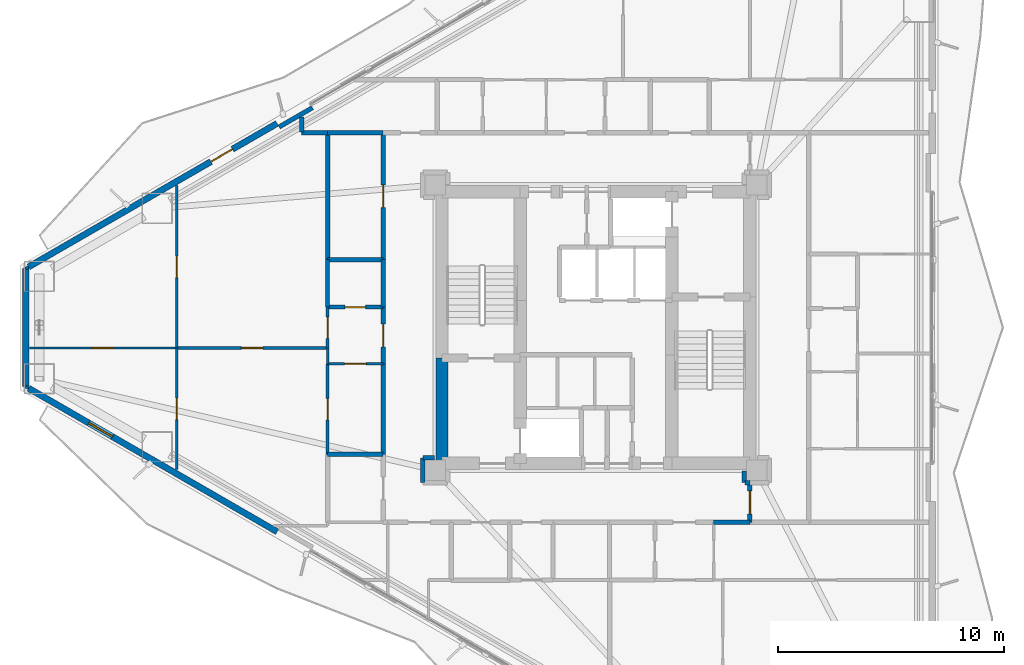
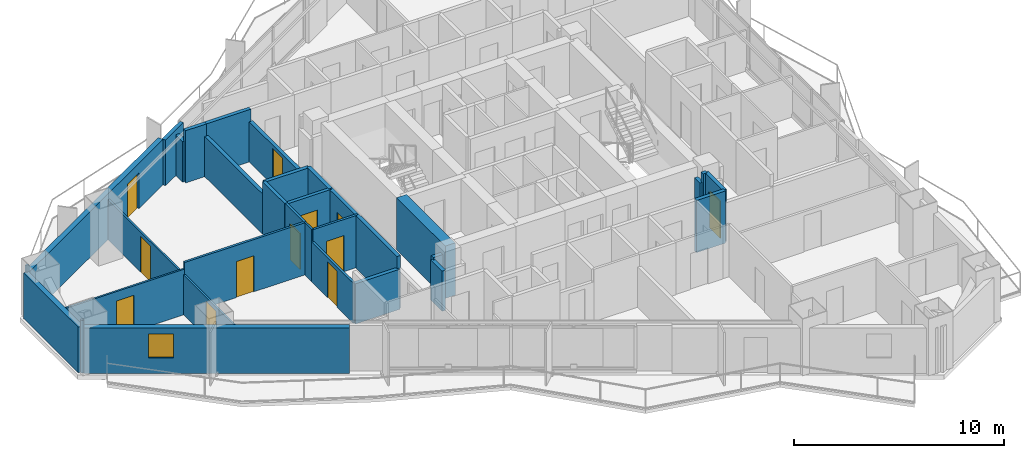
# One storey, part 13 of 19: 33 walls, 12 doors, 1 window, 13 openings.
"""IFC4 building model written with IfcOpenShell, lengths in metres."""

from ifc_helpers import new_model, si_unit, direction, frame, frame_2d, origin, place, context, subcontext, project, spatial, rectangle, extrude, material, layer, layer_set, type_object, element, fill, save


model = new_model("IFC4")

# Units and contexts
model_context = context("Model", 3, precision=1e-05, world=origin(), true_north=direction((0.0, 1.0)))
body_context = subcontext(model_context, "Body", "Model", "MODEL_VIEW")
ifc_project = project(units=[si_unit("LENGTHUNIT", "METRE"), si_unit("AREAUNIT", "SQUARE_METRE"), si_unit("VOLUMEUNIT", "CUBIC_METRE"), si_unit("PLANEANGLEUNIT", "RADIAN"), si_unit("MASSUNIT", "GRAM", prefix="KILO")], contexts=[model_context])

# Site, building, storey
site_placement = place(None, origin())
site = spatial("IfcSite", under=ifc_project, at=site_placement, CompositionType="ELEMENT")
building_placement = place(site_placement, origin())
building = spatial("IfcBuilding", under=site, at=building_placement, Name="Mersakhor Tower and Convention Hall", CompositionType="ELEMENT")
storey_placement = place(building_placement, frame((0.0, 0.0, 25.800048828125)))
storey = spatial("IfcBuildingStorey", under=building, at=storey_placement, Name="L06", CompositionType="ELEMENT", Elevation=25.800048828125)

# Wall
ifc_material_1 = material(Name="Precast concrete C45/55", Category="concrete")
ifc_layer_1 = layer(ifc_material_1, 0.27490234375)
ifc_layer_set_1 = layer_set([ifc_layer_1], Name="Precast concrete C45/55")
wall_type_1 = type_object("IfcWallType", Name="WL-EXT-275", PredefinedType="SOLIDWALL", material=ifc_layer_set_1)
wall_1_placement = place(storey_placement, frame((3.81298828125, 24.144287109375, 0.0), z_axis=(0.0, 0.0, 1.0), x_axis=(0.0, 1.0, 0.0)))
element("IfcWall", 1, at=wall_1_placement, inside=storey, type_object=wall_type_1, Name="L06 Chamfer Braced Spandrel Wall C3", PredefinedType="SOLIDWALL", context=body_context, shape_type="SweptSolid", body=[
    extrude(rectangle(XDim=5.21142578125, YDim=0.27490234375, at=frame_2d((2.605712890625, 0.0))), origin(), (0.0, 0.0, 1.0), 2.659912109375),
])

# Wall, opening, door
wall_2_placement = place(storey_placement, frame((3.943115234375, 29.4306640625, 0.0), z_axis=(0.0, 0.0, 1.0), x_axis=(0.866027105532, 0.499997052475, 0.0)))
wall_2 = element("IfcWall", 2, at=wall_2_placement, inside=storey, type_object=wall_type_1, Name="L06 Exterior Facade Wall F1-B1", PredefinedType="SOLIDWALL", context=body_context, shape_type="SweptSolid", body=[
    extrude(rectangle(XDim=12.6728515625, YDim=0.27490234375, at=frame_2d((6.33642578125, 0.0))), origin(), (0.0, 0.0, 1.0), 2.659912109375),
])
opening_1_placement = place(wall_2_placement, frame((9.298095703125, 0.0, 0.0)))
opening_1 = element("IfcOpeningElement", 3, at=opening_1_placement, cuts=wall_2, Name="Opening BD-02", PredefinedType="OPENING", context=body_context, shape_type="SweptSolid", body=[
    extrude(rectangle(XDim=1.10009765625, YDim=2.10009765625, at=frame_2d((0.550048828125, 1.050048828125))), frame((0.0, 0.1474609375, 0.0), z_axis=(0.0, -1.0, 0.0), x_axis=(1.0, 0.0, 0.0)), (0.0, 0.0, 1.0), 0.294921875),
])
ifc_material_2 = material(Name="Thermally broken dark aluminium and safety glass", Category="aluminium")
door_type_1 = type_object("IfcDoorType", Name="DR-BAL-110x210", OperationType="NOTDEFINED", PredefinedType="DOOR", material=ifc_material_2)
door_1_placement = place(opening_1_placement, origin())
door_1 = element("IfcDoor", 4, at=door_1_placement, inside=storey, type_object=door_type_1, Name="L06 Balcony Terrace Door F1-B1", OperationType="SINGLE_SWING_RIGHT", OverallHeight=2.10009765625, OverallWidth=1.10009765625, PredefinedType="DOOR", context=body_context, shape_type="SweptSolid", body=[
    extrude(rectangle(XDim=1.10009765625, YDim=2.10009765625, at=frame_2d((0.550048828125, 1.050048828125))), frame((0.0, 0.02490234375, 0.0), z_axis=(0.0, -1.0, 0.0), x_axis=(1.0, 0.0, 0.0)), (0.0, 0.0, 1.0), 0.050048828125),
])
fill(opening_1, door_1)

# Wall, opening, window
wall_3_placement = place(storey_placement, frame((14.918212890625, 17.73291015625, 0.0), z_axis=(0.0, 0.0, 1.0), x_axis=(-0.866027105532, 0.499997052475, 0.0)))
wall_3 = element("IfcWall", 5, at=wall_3_placement, inside=storey, type_object=wall_type_1, Name="L06 Exterior Facade Wall F3-B3", PredefinedType="SOLIDWALL", context=body_context, shape_type="SweptSolid", body=[
    extrude(rectangle(XDim=12.6728515625, YDim=0.27490234375, at=frame_2d((6.33642578125, 0.0))), origin(), (0.0, 0.0, 1.0), 2.659912109375),
])
opening_2_placement = place(wall_3_placement, frame((8.402099609375, 0.0, 0.89990234375)))
opening_2 = element("IfcOpeningElement", 6, at=opening_2_placement, cuts=wall_3, Name="Opening W-01", PredefinedType="OPENING", context=body_context, shape_type="SweptSolid", body=[
    extrude(rectangle(XDim=1.199951171875, YDim=1.39990234375, at=frame_2d((0.60009765625, 0.699951171875))), frame((0.0, 0.1474609375, 0.0), z_axis=(0.0, -1.0, 0.0), x_axis=(1.0, 0.0, 0.0)), (0.0, 0.0, 1.0), 0.294921875),
])
ifc_material_3 = material(Name="Dark solar low-E glazed aluminium window", Category="aluminium")
window_type = type_object("IfcWindowType", Name="WN-RES-120x150", PartitioningType="SINGLE_PANEL", PredefinedType="WINDOW", material=ifc_material_3)
window_placement = place(opening_2_placement, origin())
window = element("IfcWindow", 7, at=window_placement, inside=storey, type_object=window_type, Name="L06 Bedroom Facade Window F3-B3-1", OverallHeight=1.39990234375, OverallWidth=1.199951171875, PartitioningType="SINGLE_PANEL", PredefinedType="WINDOW", context=body_context, shape_type="SweptSolid", body=[
    extrude(rectangle(XDim=1.199951171875, YDim=1.39990234375, at=frame_2d((0.60009765625, 0.699951171875))), frame((0.0, 0.030029296875, 0.0), z_axis=(0.0, -1.0, 0.0), x_axis=(1.0, 0.0, 0.0)), (0.0, 0.0, 1.0), 0.06005859375),
])
fill(opening_2, window)

# Wall
ifc_material_4 = material(Name="Precast concrete C40/50", Category="concrete")
ifc_layer_2 = layer(ifc_material_4, 0.199951171875)
ifc_layer_set_2 = layer_set([ifc_layer_2], Name="Precast concrete C40/50")
wall_type_2 = type_object("IfcWallType", Name="WL-PAR-200", PredefinedType="PARAPET", material=ifc_layer_set_2)
wall_4_placement = place(storey_placement, frame((15.00830078125, 35.611328125, 0.0), z_axis=(0.0, 0.0, 1.0), x_axis=(0.86605165483, 0.499954529098, 0.0)))
element("IfcWall", 8, at=wall_4_placement, inside=storey, type_object=wall_type_2, Name="L06 Column Pier Cladding Wall F1-C1", PredefinedType="PARAPET", context=body_context, shape_type="SweptSolid", body=[
    extrude(rectangle(XDim=1.699951171875, YDim=0.199951171875, at=frame_2d((0.85009765625, 0.0))), origin(), (0.0, 0.0, 1.0), 2.659912109375),
])

# Wall, opening, door
ifc_material_5 = material(Name="Moisture-resistant acoustic drywall studwork", Category="other")
ifc_layer_3 = layer(ifc_material_5, 0.175048828125)
ifc_layer_set_3 = layer_set([ifc_layer_3], Name="Moisture-resistant acoustic drywall studwork")
wall_type_3 = type_object("IfcWallType", Name="WL-PLM-175", PredefinedType="PLUMBINGWALL", material=ifc_layer_set_3)
wall_5_placement = place(storey_placement, frame((17.14990234375, 27.64990234375, 0.0), z_axis=(0.0, 0.0, 1.0), x_axis=(1.0, 0.0, 0.0)))
wall_5 = element("IfcWall", 9, at=wall_5_placement, inside=storey, type_object=wall_type_3, Name="L06 Interior Partition Wall P-076", PredefinedType="PLUMBINGWALL", context=body_context, shape_type="SweptSolid", body=[
    extrude(rectangle(XDim=2.4501953125, YDim=0.175048828125, at=frame_2d((1.22509765625, 0.0))), origin(), (0.0, 0.0, 1.0), 3.0400390625),
])
opening_3_placement = place(wall_5_placement, frame((0.77490234375, 0.0, 0.0)))
opening_3 = element("IfcOpeningElement", 10, at=opening_3_placement, cuts=wall_5, Name="Opening WD-01", PredefinedType="OPENING", context=body_context, shape_type="SweptSolid", body=[
    extrude(rectangle(XDim=0.89990234375, YDim=2.10009765625, at=frame_2d((0.449951171875, 1.050048828125))), frame((0.0, 0.097412109375, 0.0), z_axis=(0.0, -1.0, 0.0), x_axis=(1.0, 0.0, 0.0)), (0.0, 0.0, 1.0), 0.195068359375),
])
ifc_material_6 = material(Name="Solid-core hardwood leaf in painted steel frame", Category="steel")
door_type_2 = type_object("IfcDoorType", Name="DR-INT-WET-090x210", OperationType="NOTDEFINED", PredefinedType="DOOR", material=ifc_material_6)
door_2_placement = place(opening_3_placement, origin())
door_2 = element("IfcDoor", 11, at=door_2_placement, inside=storey, type_object=door_type_2, Name="L06 L06 Flat W4 Apartment Hall to L06 Flat W4 Bathroom Door", OperationType="SINGLE_SWING_LEFT", OverallHeight=2.10009765625, OverallWidth=0.89990234375, PredefinedType="DOOR", context=body_context, shape_type="SweptSolid", body=[
    extrude(rectangle(XDim=0.89990234375, YDim=2.10009765625, at=frame_2d((0.449951171875, 1.050048828125))), frame((0.0, 0.02490234375, 0.0), z_axis=(0.0, -1.0, 0.0), x_axis=(1.0, 0.0, 0.0)), (0.0, 0.0, 1.0), 0.050048828125),
])
fill(opening_3, door_2)

# Walls
wall_6_placement = place(storey_placement, frame((17.14990234375, 27.64990234375, 0.0), z_axis=(0.0, 0.0, 1.0), x_axis=(0.0, 1.0, 0.0)))
element("IfcWall", 12, at=wall_6_placement, inside=storey, type_object=wall_type_3, Name="L06 Interior Partition Wall P-097", PredefinedType="PLUMBINGWALL", context=body_context, shape_type="SweptSolid", body=[
    extrude(rectangle(XDim=2.10009765625, YDim=0.175048828125, at=frame_2d((1.050048828125, 0.0))), origin(), (0.0, 0.0, 1.0), 3.0400390625),
])
ifc_material_7 = material(Name="Lightweight gypsum partition", Category="other")
ifc_layer_4 = layer(ifc_material_7, 0.10009765625)
ifc_layer_set_4 = layer_set([ifc_layer_4], Name="Lightweight gypsum partition")
wall_type_4 = type_object("IfcWallType", Name="WL-PRT-100", PredefinedType="PARTITIONING", material=ifc_layer_set_4)
wall_7_placement = place(storey_placement, frame((17.14990234375, 25.14990234375, 0.0), z_axis=(0.0, 0.0, 1.0), x_axis=(0.0, 1.0, 0.0)))
element("IfcWall", 13, at=wall_7_placement, inside=storey, type_object=wall_type_4, Name="L06 Interior Partition Wall P-074", PredefinedType="PARTITIONING", context=body_context, shape_type="SweptSolid", body=[
    extrude(rectangle(XDim=0.7001953125, YDim=0.10009765625, at=frame_2d((0.35009765625, 0.0))), origin(), (0.0, 0.0, 1.0), 3.0400390625),
])

# Wall, opening, door
wall_8_placement = place(storey_placement, frame((10.47998046875, 25.85009765625, 0.0), z_axis=(0.0, 0.0, 1.0), x_axis=(-1.0, 0.0, 0.0)))
wall_8 = element("IfcWall", 14, at=wall_8_placement, inside=storey, type_object=wall_type_4, Name="L06 Interior Partition Wall P-138", PredefinedType="PARTITIONING", context=body_context, shape_type="SweptSolid", body=[
    extrude(rectangle(XDim=6.50537109375, YDim=0.10009765625, at=frame_2d((3.252685546875, 0.0))), origin(), (0.0, 0.0, 1.0), 2.650390625),
])
opening_4_placement = place(wall_8_placement, frame((2.777587890625, 0.0, 0.0)))
opening_4 = element("IfcOpeningElement", 15, at=opening_4_placement, cuts=wall_8, Name="Opening RD-01", PredefinedType="OPENING", context=body_context, shape_type="SweptSolid", body=[
    extrude(rectangle(XDim=0.949951171875, YDim=2.10009765625, at=frame_2d((0.47509765625, 1.050048828125))), frame((0.0, 0.06005859375, 0.0), z_axis=(0.0, -1.0, 0.0), x_axis=(1.0, 0.0, 0.0)), (0.0, 0.0, 1.0), 0.1201171875),
])
ifc_material_8 = material(Name="Solid-core hardwood leaf in painted steel frame", Category="steel")
door_type_3 = type_object("IfcDoorType", Name="DR-INT-RM-095x210", OperationType="NOTDEFINED", PredefinedType="DOOR", material=ifc_material_8)
door_3_placement = place(opening_4_placement, origin())
door_3 = element("IfcDoor", 16, at=door_3_placement, inside=storey, type_object=door_type_3, Name="L06 L06 Flat W4 Living and Dining Room to L06 Flat W4 Master Bedroom Door", OperationType="SINGLE_SWING_RIGHT", OverallHeight=2.10009765625, OverallWidth=0.949951171875, PredefinedType="DOOR", context=body_context, shape_type="SweptSolid", body=[
    extrude(rectangle(XDim=0.949951171875, YDim=2.10009765625, at=frame_2d((0.47509765625, 1.050048828125))), frame((0.0, 0.02490234375, 0.0), z_axis=(0.0, -1.0, 0.0), x_axis=(1.0, 0.0, 0.0)), (0.0, 0.0, 1.0), 0.050048828125),
])
fill(opening_4, door_3)

wall_9_placement = place(storey_placement, frame((10.47998046875, 33.018310546875, 0.0), z_axis=(0.0, 0.0, 1.0), x_axis=(0.0, -1.0, 0.0)))
wall_9 = element("IfcWall", 17, at=wall_9_placement, inside=storey, type_object=wall_type_4, Name="L06 Interior Partition Wall P-140", PredefinedType="PARTITIONING", context=body_context, shape_type="SweptSolid", body=[
    extrude(rectangle(XDim=7.168212890625, YDim=0.10009765625, at=frame_2d((3.583984375, 0.0))), origin(), (0.0, 0.0, 1.0), 2.33740234375),
])
opening_5_placement = place(wall_9_placement, frame((3.109130859375, 0.0, 0.0)))
opening_5 = element("IfcOpeningElement", 18, at=opening_5_placement, cuts=wall_9, Name="Opening RD-01", PredefinedType="OPENING", context=body_context, shape_type="SweptSolid", body=[
    extrude(rectangle(XDim=0.949951171875, YDim=2.10009765625, at=frame_2d((0.47509765625, 1.050048828125))), frame((0.0, 0.06005859375, 0.0), z_axis=(0.0, -1.0, 0.0), x_axis=(1.0, 0.0, 0.0)), (0.0, 0.0, 1.0), 0.1201171875),
])
door_4_placement = place(opening_5_placement, origin())
door_4 = element("IfcDoor", 19, at=door_4_placement, inside=storey, type_object=door_type_3, Name="L06 L06 Flat W4 Living and Dining Room to L06 Flat W4 Dining Room Door", OperationType="SINGLE_SWING_LEFT", OverallHeight=2.10009765625, OverallWidth=0.949951171875, PredefinedType="DOOR", context=body_context, shape_type="SweptSolid", body=[
    extrude(rectangle(XDim=0.949951171875, YDim=2.10009765625, at=frame_2d((0.47509765625, 1.050048828125))), frame((0.0, 0.02490234375, 0.0), z_axis=(0.0, -1.0, 0.0), x_axis=(1.0, 0.0, 0.0)), (0.0, 0.0, 1.0), 0.050048828125),
])
fill(opening_5, door_4)

wall_10_placement = place(storey_placement, frame((10.47998046875, 25.85009765625, 0.0), z_axis=(0.0, 0.0, 1.0), x_axis=(0.0, -1.0, 0.0)))
wall_10 = element("IfcWall", 20, at=wall_10_placement, inside=storey, type_object=wall_type_4, Name="L06 Interior Partition Wall P-142", PredefinedType="PARTITIONING", context=body_context, shape_type="SweptSolid", body=[
    extrude(rectangle(XDim=5.368408203125, YDim=0.10009765625, at=frame_2d((2.68408203125, 0.0))), origin(), (0.0, 0.0, 1.0), 2.33740234375),
])
opening_6_placement = place(wall_10_placement, frame((2.209228515625, 0.0, 0.0)))
opening_6 = element("IfcOpeningElement", 21, at=opening_6_placement, cuts=wall_10, Name="Opening RD-01", PredefinedType="OPENING", context=body_context, shape_type="SweptSolid", body=[
    extrude(rectangle(XDim=0.949951171875, YDim=2.10009765625, at=frame_2d((0.47509765625, 1.050048828125))), frame((0.0, 0.06005859375, 0.0), z_axis=(0.0, -1.0, 0.0), x_axis=(1.0, 0.0, 0.0)), (0.0, 0.0, 1.0), 0.1201171875),
])
door_5_placement = place(opening_6_placement, origin())
door_5 = element("IfcDoor", 22, at=door_5_placement, inside=storey, type_object=door_type_3, Name="L06 L06 Flat W4 Master Bedroom to L06 Flat W4 Dining Room Door", OperationType="SINGLE_SWING_RIGHT", OverallHeight=2.10009765625, OverallWidth=0.949951171875, PredefinedType="DOOR", context=body_context, shape_type="SweptSolid", body=[
    extrude(rectangle(XDim=0.949951171875, YDim=2.10009765625, at=frame_2d((0.47509765625, 1.050048828125))), frame((0.0, 0.02490234375, 0.0), z_axis=(0.0, -1.0, 0.0), x_axis=(1.0, 0.0, 0.0)), (0.0, 0.0, 1.0), 0.050048828125),
])
fill(opening_6, door_5)

ifc_material_9 = material(Name="Gypsum board acoustic partition", Category="other")
ifc_layer_5 = layer(ifc_material_9, 0.125)
ifc_layer_set_5 = layer_set([ifc_layer_5], Name="Gypsum board acoustic partition")
wall_type_5 = type_object("IfcWallType", Name="WL-PRT-125", PredefinedType="PARTITIONING", material=ifc_layer_set_5)
wall_11_placement = place(storey_placement, frame((17.14990234375, 25.85009765625, 0.0), z_axis=(0.0, 0.0, 1.0), x_axis=(0.0, 1.0, 0.0)))
wall_11 = element("IfcWall", 23, at=wall_11_placement, inside=storey, type_object=wall_type_5, Name="L06 Interior Partition Wall P-075", PredefinedType="PARTITIONING", context=body_context, shape_type="SweptSolid", body=[
    extrude(rectangle(XDim=1.7998046875, YDim=0.125, at=frame_2d((0.89990234375, 0.0))), origin(), (0.0, 0.0, 1.0), 3.0400390625),
])
opening_7_placement = place(wall_11_placement, frame((0.425048828125, 0.0, 0.0)))
opening_7 = element("IfcOpeningElement", 24, at=opening_7_placement, cuts=wall_11, Name="Opening RD-01", PredefinedType="OPENING", context=body_context, shape_type="SweptSolid", body=[
    extrude(rectangle(XDim=0.949951171875, YDim=2.10009765625, at=frame_2d((0.47509765625, 1.050048828125))), frame((0.0, 0.072509765625, 0.0), z_axis=(0.0, -1.0, 0.0), x_axis=(1.0, 0.0, 0.0)), (0.0, 0.0, 1.0), 0.14501953125),
])
door_6_placement = place(opening_7_placement, origin())
door_6 = element("IfcDoor", 25, at=door_6_placement, inside=storey, type_object=door_type_3, Name="L06 L06 Flat W4 Apartment Hall to L06 Flat W4 Dining Room Door", OperationType="SINGLE_SWING_LEFT", OverallHeight=2.10009765625, OverallWidth=0.949951171875, PredefinedType="DOOR", context=body_context, shape_type="SweptSolid", body=[
    extrude(rectangle(XDim=0.949951171875, YDim=2.10009765625, at=frame_2d((0.47509765625, 1.050048828125))), frame((0.0, 0.02490234375, 0.0), z_axis=(0.0, -1.0, 0.0), x_axis=(1.0, 0.0, 0.0)), (0.0, 0.0, 1.0), 0.050048828125),
])
fill(opening_7, door_6)

wall_12_placement = place(storey_placement, frame((19.60009765625, 25.14990234375, 0.0), z_axis=(0.0, 0.0, 1.0), x_axis=(-1.0, 0.0, 0.0)))
wall_12 = element("IfcWall", 26, at=wall_12_placement, inside=storey, type_object=wall_type_5, Name="L06 Interior Partition Wall P-077", PredefinedType="PARTITIONING", context=body_context, shape_type="SweptSolid", body=[
    extrude(rectangle(XDim=2.4501953125, YDim=0.125, at=frame_2d((1.22509765625, 0.0))), origin(), (0.0, 0.0, 1.0), 3.0400390625),
])
opening_8_placement = place(wall_12_placement, frame((0.75, 0.0, 0.0)))
opening_8 = element("IfcOpeningElement", 27, at=opening_8_placement, cuts=wall_12, Name="Opening RD-01", PredefinedType="OPENING", context=body_context, shape_type="SweptSolid", body=[
    extrude(rectangle(XDim=0.949951171875, YDim=2.10009765625, at=frame_2d((0.47509765625, 1.050048828125))), frame((0.0, 0.072509765625, 0.0), z_axis=(0.0, -1.0, 0.0), x_axis=(1.0, 0.0, 0.0)), (0.0, 0.0, 1.0), 0.14501953125),
])
door_7_placement = place(opening_8_placement, origin())
door_7 = element("IfcDoor", 28, at=door_7_placement, inside=storey, type_object=door_type_3, Name="L06 L06 Flat W4 Apartment Hall to L06 Flat W4 Kitchen Door", OperationType="SINGLE_SWING_RIGHT", OverallHeight=2.10009765625, OverallWidth=0.949951171875, PredefinedType="DOOR", context=body_context, shape_type="SweptSolid", body=[
    extrude(rectangle(XDim=0.949951171875, YDim=2.10009765625, at=frame_2d((0.47509765625, 1.050048828125))), frame((0.0, 0.02490234375, 0.0), z_axis=(0.0, -1.0, 0.0), x_axis=(1.0, 0.0, 0.0)), (0.0, 0.0, 1.0), 0.050048828125),
])
fill(opening_8, door_7)

wall_13_placement = place(storey_placement, frame((17.14990234375, 21.14990234375, 0.0), z_axis=(0.0, 0.0, 1.0), x_axis=(0.0, 1.0, 0.0)))
wall_13 = element("IfcWall", 29, at=wall_13_placement, inside=storey, type_object=wall_type_5, Name="L06 Interior Partition Wall P-099", PredefinedType="PARTITIONING", context=body_context, shape_type="SweptSolid", body=[
    extrude(rectangle(XDim=4.0, YDim=0.125, at=frame_2d((2.0, 0.0))), origin(), (0.0, 0.0, 1.0), 2.33740234375),
])
opening_9_placement = place(wall_13_placement, frame((1.52490234375, 0.0, 0.0)))
opening_9 = element("IfcOpeningElement", 30, at=opening_9_placement, cuts=wall_13, Name="Opening RD-01", PredefinedType="OPENING", context=body_context, shape_type="SweptSolid", body=[
    extrude(rectangle(XDim=0.949951171875, YDim=2.10009765625, at=frame_2d((0.47509765625, 1.050048828125))), frame((0.0, 0.072509765625, 0.0), z_axis=(0.0, -1.0, 0.0), x_axis=(1.0, 0.0, 0.0)), (0.0, 0.0, 1.0), 0.14501953125),
])
door_8_placement = place(opening_9_placement, origin())
door_8 = element("IfcDoor", 31, at=door_8_placement, inside=storey, type_object=door_type_3, Name="L06 L06 Flat W4 Kitchen to L06 Flat W4 Dining Room Door", OperationType="SINGLE_SWING_LEFT", OverallHeight=2.10009765625, OverallWidth=0.949951171875, PredefinedType="DOOR", context=body_context, shape_type="SweptSolid", body=[
    extrude(rectangle(XDim=0.949951171875, YDim=2.10009765625, at=frame_2d((0.47509765625, 1.050048828125))), frame((0.0, 0.02490234375, 0.0), z_axis=(0.0, -1.0, 0.0), x_axis=(1.0, 0.0, 0.0)), (0.0, 0.0, 1.0), 0.050048828125),
])
fill(opening_9, door_8)

# Wall
wall_14_placement = place(storey_placement, frame((3.81298828125, 29.35595703125, 0.0), z_axis=(0.0, 0.0, 1.0), x_axis=(0.866131372301, 0.499816412211, 0.0)))
element("IfcWall", 32, at=wall_14_placement, inside=storey, type_object=wall_type_5, Name="L06 Interior Partition Wall P-139", PredefinedType="PARTITIONING", context=body_context, shape_type="SweptSolid", body=[
    extrude(rectangle(XDim=0.14990234375, YDim=0.125, at=frame_2d((0.074951171875, 0.0))), origin(), (0.0, 0.0, 1.0), 3.0400390625),
])

# Wall, opening, door
wall_15_placement = place(storey_placement, frame((17.14990234375, 25.85009765625, 0.0), z_axis=(0.0, 0.0, 1.0), x_axis=(-1.0, 0.0, 0.0)))
wall_15 = element("IfcWall", 33, at=wall_15_placement, inside=storey, type_object=wall_type_5, Name="L06 Interior Partition Wall P-141", PredefinedType="PARTITIONING", context=body_context, shape_type="SweptSolid", body=[
    extrude(rectangle(XDim=6.669921875, YDim=0.125, at=frame_2d((3.3349609375, 0.0))), origin(), (0.0, 0.0, 1.0), 3.0400390625),
])
opening_10_placement = place(wall_15_placement, frame((2.860107421875, 0.0, 0.0)))
opening_10 = element("IfcOpeningElement", 34, at=opening_10_placement, cuts=wall_15, Name="Opening RD-01", PredefinedType="OPENING", context=body_context, shape_type="SweptSolid", body=[
    extrude(rectangle(XDim=0.949951171875, YDim=2.10009765625, at=frame_2d((0.47509765625, 1.050048828125))), frame((0.0, 0.072509765625, 0.0), z_axis=(0.0, -1.0, 0.0), x_axis=(1.0, 0.0, 0.0)), (0.0, 0.0, 1.0), 0.14501953125),
])
door_9_placement = place(opening_10_placement, origin())
door_9 = element("IfcDoor", 35, at=door_9_placement, inside=storey, type_object=door_type_3, Name="L06 L06 Flat W4 Dining Room to L06 Flat W4 Dining Room Door", OperationType="SINGLE_SWING_LEFT", OverallHeight=2.10009765625, OverallWidth=0.949951171875, PredefinedType="DOOR", context=body_context, shape_type="SweptSolid", body=[
    extrude(rectangle(XDim=0.949951171875, YDim=2.10009765625, at=frame_2d((0.47509765625, 1.050048828125))), frame((0.0, 0.02490234375, 0.0), z_axis=(0.0, -1.0, 0.0), x_axis=(1.0, 0.0, 0.0)), (0.0, 0.0, 1.0), 0.050048828125),
])
fill(opening_10, door_9)

# Walls
wall_16_placement = place(storey_placement, frame((3.94287109375, 24.069091796875, 0.0), z_axis=(0.0, 0.0, 1.0), x_axis=(-0.866131372301, 0.499816412211, 0.0)))
element("IfcWall", 36, at=wall_16_placement, inside=storey, type_object=wall_type_5, Name="L06 Interior Partition Wall P-143", PredefinedType="PARTITIONING", context=body_context, shape_type="SweptSolid", body=[
    extrude(rectangle(XDim=0.14990234375, YDim=0.125, at=frame_2d((0.074951171875, 0.0))), origin(), (0.0, 0.0, 1.0), 3.0400390625),
])
ifc_material_10 = material(Name="Acoustic concrete blockwork and gypsum board", Category="masonry")
ifc_layer_6 = layer(ifc_material_10, 0.199951171875)
ifc_layer_set_6 = layer_set([ifc_layer_6], Name="Acoustic concrete blockwork and gypsum board")
wall_type_6 = type_object("IfcWallType", Name="WL-PRT-200", PredefinedType="PARTITIONING", material=ifc_layer_set_6)
wall_17_placement = place(storey_placement, frame((35.550048828125, 20.425048828125, 0.0), z_axis=(0.0, 0.0, 1.0), x_axis=(0.0, -1.0, 0.0)))
element("IfcWall", 37, at=wall_17_placement, inside=storey, type_object=wall_type_6, Name="L06 Interior Partition Wall P-023", PredefinedType="PARTITIONING", context=body_context, shape_type="SweptSolid", body=[
    extrude(rectangle(XDim=0.525146484375, YDim=0.199951171875, at=frame_2d((0.2626953125, 0.0))), origin(), (0.0, 0.0, 1.0), 2.48828125),
])
wall_18_placement = place(storey_placement, frame((35.580078125, 19.89990234375, 0.0), z_axis=(0.0, 0.0, 1.0), x_axis=(1.0, 0.0, 0.0)))
element("IfcWall", 38, at=wall_18_placement, inside=storey, type_object=wall_type_6, Name="L06 Interior Partition Wall P-024", PredefinedType="PARTITIONING", context=body_context, shape_type="SweptSolid", body=[
    extrude(rectangle(XDim=0.219970703125, YDim=0.199951171875, at=frame_2d((0.10986328125, 0.0))), origin(), (0.0, 0.0, 1.0), 3.0400390625),
])

# Wall, opening, door
wall_19_placement = place(storey_placement, frame((35.800048828125, 19.89990234375, 0.0), z_axis=(0.0, 0.0, 1.0), x_axis=(0.0, -1.0, 0.0)))
wall_19 = element("IfcWall", 39, at=wall_19_placement, inside=storey, type_object=wall_type_6, Name="L06 Interior Partition Wall P-025", PredefinedType="PARTITIONING", context=body_context, shape_type="SweptSolid", body=[
    extrude(rectangle(XDim=1.75, YDim=0.199951171875, at=frame_2d((0.875, 0.0))), origin(), (0.0, 0.0, 1.0), 3.0400390625),
])
opening_11_placement = place(wall_19_placement, frame((0.375, 0.0, 0.0)))
opening_11 = element("IfcOpeningElement", 40, at=opening_11_placement, cuts=wall_19, Name="Opening FD-01", PredefinedType="OPENING", context=body_context, shape_type="SweptSolid", body=[
    extrude(rectangle(XDim=1.0, YDim=2.14990234375, at=frame_2d((0.5, 1.074951171875))), frame((0.0, 0.10986328125, 0.0), z_axis=(0.0, -1.0, 0.0), x_axis=(1.0, 0.0, 0.0)), (0.0, 0.0, 1.0), 0.219970703125),
])
ifc_material_11 = material(Name="Fire-rated hardwood leaf and painted steel frame", Category="steel")
door_type_4 = type_object("IfcDoorType", Name="DR-INT-FLT-100x215", OperationType="NOTDEFINED", PredefinedType="DOOR", material=ifc_material_11)
door_10_placement = place(opening_11_placement, origin())
door_10 = element("IfcDoor", 41, at=door_10_placement, inside=storey, type_object=door_type_4, Name="L06 Ring Corridor Fire Door", OperationType="SINGLE_SWING_LEFT", OverallHeight=2.14990234375, OverallWidth=1.0, PredefinedType="DOOR", context=body_context, shape_type="SweptSolid", body=[
    extrude(rectangle(XDim=1.0, YDim=2.14990234375, at=frame_2d((0.5, 1.074951171875))), frame((0.0, 0.02490234375, 0.0), z_axis=(0.0, -1.0, 0.0), x_axis=(1.0, 0.0, 0.0)), (0.0, 0.0, 1.0), 0.050048828125),
])
fill(opening_11, door_10)

# Walls
wall_20_placement = place(storey_placement, frame((35.800048828125, 18.14990234375, 0.0), z_axis=(0.0, 0.0, 1.0), x_axis=(-1.0, 0.0, 0.0)))
element("IfcWall", 42, at=wall_20_placement, inside=storey, type_object=wall_type_6, Name="L06 Interior Partition Wall P-026", PredefinedType="PARTITIONING", context=body_context, shape_type="SweptSolid", body=[
    extrude(rectangle(XDim=1.60009765625, YDim=0.199951171875, at=frame_2d((0.800048828125, 0.0))), origin(), (0.0, 0.0, 1.0), 3.0400390625),
])
wall_21_placement = place(storey_placement, frame((19.60009765625, 21.14990234375, 0.0), z_axis=(0.0, 0.0, 1.0), x_axis=(0.0, 1.0, 0.0)))
element("IfcWall", 43, at=wall_21_placement, inside=storey, type_object=wall_type_6, Name="L06 Interior Partition Wall P-035", PredefinedType="PARTITIONING", context=body_context, shape_type="SweptSolid", body=[
    extrude(rectangle(XDim=4.0, YDim=0.199951171875, at=frame_2d((2.0, 0.0))), origin(), (0.0, 0.0, 1.0), 3.0400390625),
])

# Wall, opening, door
wall_22_placement = place(storey_placement, frame((19.60009765625, 25.14990234375, 0.0), z_axis=(0.0, 0.0, 1.0), x_axis=(0.0, 1.0, 0.0)))
wall_22 = element("IfcWall", 44, at=wall_22_placement, inside=storey, type_object=wall_type_6, Name="L06 Interior Partition Wall P-036", PredefinedType="PARTITIONING", context=body_context, shape_type="SweptSolid", body=[
    extrude(rectangle(XDim=2.5, YDim=0.199951171875, at=frame_2d((1.25, 0.0))), origin(), (0.0, 0.0, 1.0), 3.0400390625),
])
opening_12_placement = place(wall_22_placement, frame((0.75, 0.0, 0.0)))
opening_12 = element("IfcOpeningElement", 45, at=opening_12_placement, cuts=wall_22, Name="Opening FD-01", PredefinedType="OPENING", context=body_context, shape_type="SweptSolid", body=[
    extrude(rectangle(XDim=1.0, YDim=2.14990234375, at=frame_2d((0.5, 1.074951171875))), frame((0.0, 0.10986328125, 0.0), z_axis=(0.0, -1.0, 0.0), x_axis=(1.0, 0.0, 0.0)), (0.0, 0.0, 1.0), 0.219970703125),
])
door_11_placement = place(opening_12_placement, origin())
door_11 = element("IfcDoor", 46, at=door_11_placement, inside=storey, type_object=door_type_4, Name="L06 Apartment Entrance Door (Residential Ring Corridor to L06 Flat W4 Apartment Hall)", OperationType="SINGLE_SWING_LEFT", OverallHeight=2.14990234375, OverallWidth=1.0, PredefinedType="DOOR", context=body_context, shape_type="SweptSolid", body=[
    extrude(rectangle(XDim=1.0, YDim=2.14990234375, at=frame_2d((0.5, 1.074951171875))), frame((0.0, 0.02490234375, 0.0), z_axis=(0.0, -1.0, 0.0), x_axis=(1.0, 0.0, 0.0)), (0.0, 0.0, 1.0), 0.050048828125),
])
fill(opening_12, door_11)

# Wall
wall_23_placement = place(storey_placement, frame((19.60009765625, 27.64990234375, 0.0), z_axis=(0.0, 0.0, 1.0), x_axis=(0.0, 1.0, 0.0)))
element("IfcWall", 47, at=wall_23_placement, inside=storey, type_object=wall_type_6, Name="L06 Interior Partition Wall P-037", PredefinedType="PARTITIONING", context=body_context, shape_type="SweptSolid", body=[
    extrude(rectangle(XDim=2.10009765625, YDim=0.199951171875, at=frame_2d((1.050048828125, 0.0))), origin(), (0.0, 0.0, 1.0), 3.0400390625),
])

# Wall, opening, door
wall_24_placement = place(storey_placement, frame((19.60009765625, 29.75, 0.0), z_axis=(0.0, 0.0, 1.0), x_axis=(0.0, 1.0, 0.0)))
wall_24 = element("IfcWall", 48, at=wall_24_placement, inside=storey, type_object=wall_type_6, Name="L06 Interior Partition Wall P-038", PredefinedType="PARTITIONING", context=body_context, shape_type="SweptSolid", body=[
    extrude(rectangle(XDim=5.60009765625, YDim=0.199951171875, at=frame_2d((2.800048828125, 0.0))), origin(), (0.0, 0.0, 1.0), 2.33740234375),
])
opening_13_placement = place(wall_24_placement, frame((2.300048828125, 0.0, 0.0)))
opening_13 = element("IfcOpeningElement", 49, at=opening_13_placement, cuts=wall_24, Name="Opening FD-01", PredefinedType="OPENING", context=body_context, shape_type="SweptSolid", body=[
    extrude(rectangle(XDim=1.0, YDim=2.14990234375, at=frame_2d((0.5, 1.074951171875))), frame((0.0, 0.10986328125, 0.0), z_axis=(0.0, -1.0, 0.0), x_axis=(1.0, 0.0, 0.0)), (0.0, 0.0, 1.0), 0.219970703125),
])
door_12_placement = place(opening_13_placement, origin())
door_12 = element("IfcDoor", 50, at=door_12_placement, inside=storey, type_object=door_type_4, Name="L06 Residential Ring Corridor to L06 West Wing Shared Study Room Door", OperationType="SINGLE_SWING_RIGHT", OverallHeight=2.14990234375, OverallWidth=1.0, PredefinedType="DOOR", context=body_context, shape_type="SweptSolid", body=[
    extrude(rectangle(XDim=1.0, YDim=2.14990234375, at=frame_2d((0.5, 1.074951171875))), frame((0.0, 0.02490234375, 0.0), z_axis=(0.0, -1.0, 0.0), x_axis=(1.0, 0.0, 0.0)), (0.0, 0.0, 1.0), 0.050048828125),
])
fill(opening_13, door_12)

# Walls
wall_25_placement = place(storey_placement, frame((21.875, 21.0, 0.0), z_axis=(0.0, 0.0, 1.0), x_axis=(-1.0, 0.0, 0.0)))
element("IfcWall", 51, at=wall_25_placement, inside=storey, type_object=wall_type_6, Name="L06 Interior Partition Wall P-053", PredefinedType="PARTITIONING", context=body_context, shape_type="SweptSolid", body=[
    extrude(rectangle(XDim=0.52490234375, YDim=0.199951171875, at=frame_2d((0.262451171875, 0.0))), origin(), (0.0, 0.0, 1.0), 2.48828125),
])
wall_26_placement = place(storey_placement, frame((21.35009765625, 21.0, 0.0), z_axis=(0.0, 0.0, 1.0), x_axis=(0.0, -1.0, 0.0)))
element("IfcWall", 52, at=wall_26_placement, inside=storey, type_object=wall_type_6, Name="L06 Interior Partition Wall P-054", PredefinedType="PARTITIONING", context=body_context, shape_type="SweptSolid", body=[
    extrude(rectangle(XDim=1.10009765625, YDim=0.199951171875, at=frame_2d((0.550048828125, 0.0))), origin(), (0.0, 0.0, 1.0), 2.33740234375),
])
wall_27_placement = place(storey_placement, frame((17.14990234375, 29.75, 0.0), z_axis=(0.0, 0.0, 1.0), x_axis=(1.0, 0.0, 0.0)))
element("IfcWall", 53, at=wall_27_placement, inside=storey, type_object=wall_type_6, Name="L06 Interior Partition Wall P-098", PredefinedType="PARTITIONING", context=body_context, shape_type="SweptSolid", body=[
    extrude(rectangle(XDim=2.4501953125, YDim=0.199951171875, at=frame_2d((1.22509765625, 0.0))), origin(), (0.0, 0.0, 1.0), 3.0400390625),
])
wall_28_placement = place(storey_placement, frame((19.60009765625, 21.14990234375, 0.0), z_axis=(0.0, 0.0, 1.0), x_axis=(-1.0, 0.0, 0.0)))
element("IfcWall", 54, at=wall_28_placement, inside=storey, type_object=wall_type_6, Name="L06 Interior Partition Wall P-100", PredefinedType="PARTITIONING", context=body_context, shape_type="SweptSolid", body=[
    extrude(rectangle(XDim=2.4501953125, YDim=0.199951171875, at=frame_2d((1.22509765625, 0.0))), origin(), (0.0, 0.0, 1.0), 2.33740234375),
])
wall_29_placement = place(storey_placement, frame((19.60009765625, 35.35009765625, 0.0), z_axis=(0.0, 0.0, 1.0), x_axis=(-1.0, 0.0, 0.0)))
element("IfcWall", 55, at=wall_29_placement, inside=storey, type_object=wall_type_6, Name="L06 Interior Partition Wall P-108", PredefinedType="PARTITIONING", context=body_context, shape_type="SweptSolid", body=[
    extrude(rectangle(XDim=2.4501953125, YDim=0.199951171875, at=frame_2d((1.22509765625, 0.0))), origin(), (0.0, 0.0, 1.0), 3.0400390625),
])
wall_30_placement = place(storey_placement, frame((17.14990234375, 35.35009765625, 0.0), z_axis=(0.0, 0.0, 1.0), x_axis=(-1.0, 0.0, 0.0)))
element("IfcWall", 56, at=wall_30_placement, inside=storey, type_object=wall_type_6, Name="L06 Interior Partition Wall P-109", PredefinedType="PARTITIONING", context=body_context, shape_type="SweptSolid", body=[
    extrude(rectangle(XDim=1.14990234375, YDim=0.199951171875, at=frame_2d((0.574951171875, 0.0))), origin(), (0.0, 0.0, 1.0), 3.0400390625),
])
wall_31_placement = place(storey_placement, frame((16.0, 35.3798828125, 0.0), z_axis=(0.0, 0.0, 1.0), x_axis=(0.0, 1.0, 0.0)))
element("IfcWall", 57, at=wall_31_placement, inside=storey, type_object=wall_type_6, Name="L06 Interior Partition Wall P-110", PredefinedType="PARTITIONING", context=body_context, shape_type="SweptSolid", body=[
    extrude(rectangle(XDim=0.660888671875, YDim=0.199951171875, at=frame_2d((0.33056640625, 0.0))), origin(), (0.0, 0.0, 1.0), 2.364990234375),
])
wall_32_placement = place(storey_placement, frame((17.14990234375, 29.75, 0.0), z_axis=(0.0, 0.0, 1.0), x_axis=(0.0, 1.0, 0.0)))
element("IfcWall", 58, at=wall_32_placement, inside=storey, type_object=wall_type_6, Name="L06 Interior Partition Wall P-112", PredefinedType="PARTITIONING", context=body_context, shape_type="SweptSolid", body=[
    extrude(rectangle(XDim=5.60009765625, YDim=0.199951171875, at=frame_2d((2.800048828125, 0.0))), origin(), (0.0, 0.0, 1.0), 2.33740234375),
])
ifc_material_12 = material(Name="Concrete C70/85", Category="concrete")
ifc_layer_7 = layer(ifc_material_12, 0.550048828125)
ifc_layer_set_7 = layer_set([ifc_layer_7], Name="Concrete C70/85")
wall_type_7 = type_object("IfcWallType", Name="WL-SHR-550", PredefinedType="SHEAR", material=ifc_layer_set_7)
wall_33_placement = place(storey_placement, frame((22.199951171875, 20.75, 0.0), z_axis=(0.0, 0.0, 1.0), x_axis=(0.0, 1.0, 0.0)))
element("IfcWall", 59, at=wall_33_placement, inside=storey, type_object=wall_type_7, Name="L06 Core Wall CW-W1", PredefinedType="SHEAR", context=body_context, shape_type="SweptSolid", body=[
    extrude(rectangle(XDim=4.64990234375, YDim=0.550048828125, at=frame_2d((2.324951171875, 0.0))), origin(), (0.0, 0.0, 1.0), 3.0400390625),
])

save(model, "model.ifc")
